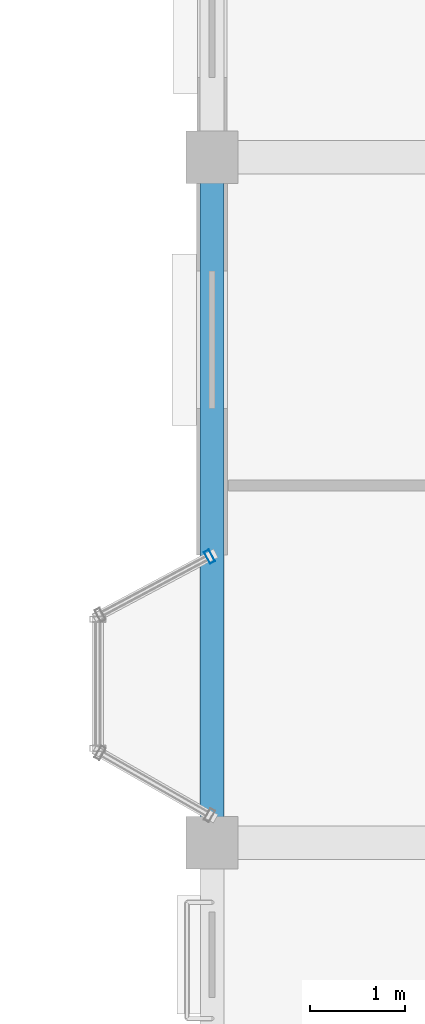
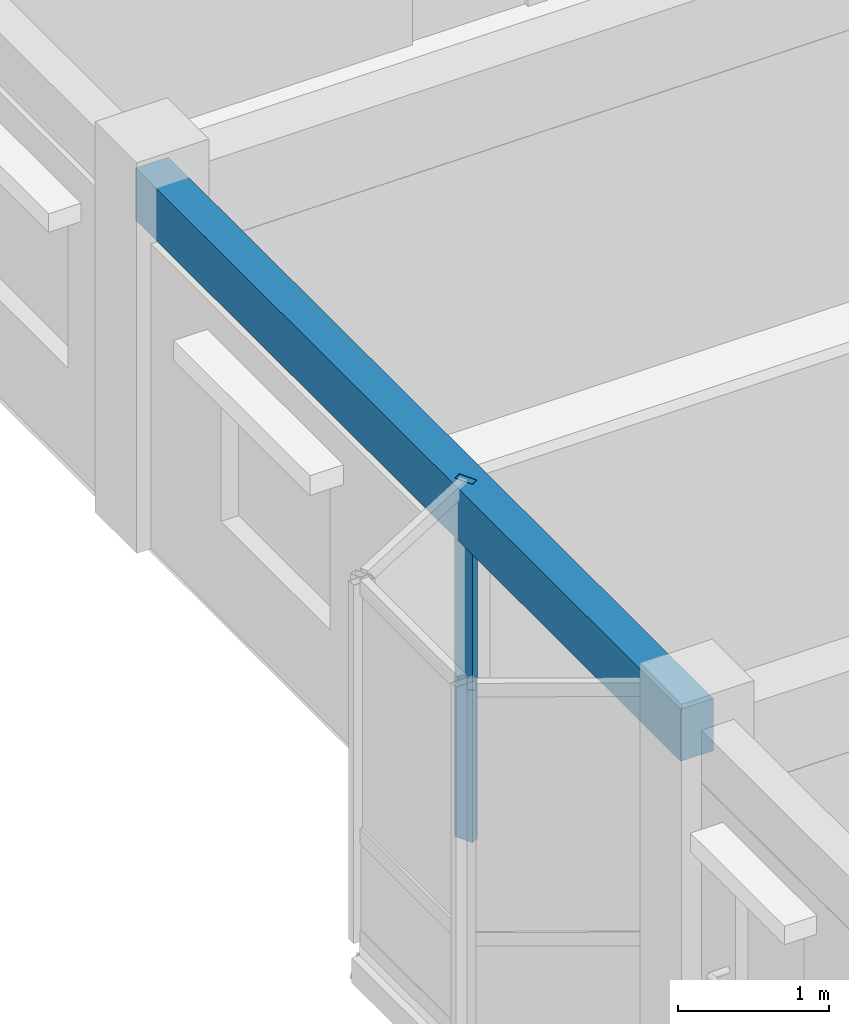
# One storey, part 28 of 79: 1 beam, 1 member, 1 element without a shape of its own.
"""IFC4 building model written with IfcOpenShell, lengths in metres."""

from ifc_helpers import new_model, si_unit, direction, frame, origin, origin_2d, place, context, subcontext, project, spatial, rectangle, hollow_rectangle, extrude, material, layer, layer_set, material_profile, profile_set, type_object, element, aggregate, save


model = new_model("IFC4")

# Units and contexts
model_context = context("Model", 3, precision=1e-05, world=origin(), true_north=direction((0.0, 1.0)))
body_context = subcontext(model_context, "Body", "Model", "MODEL_VIEW")
ifc_project = project(units=[si_unit("LENGTHUNIT", "METRE"), si_unit("AREAUNIT", "SQUARE_METRE"), si_unit("VOLUMEUNIT", "CUBIC_METRE"), si_unit("PLANEANGLEUNIT", "RADIAN"), si_unit("MASSUNIT", "GRAM", prefix="KILO"), si_unit("THERMODYNAMICTEMPERATUREUNIT", "KELVIN"), si_unit("POWERUNIT", "WATT")], contexts=[model_context])

# Site, building, storey
site_placement = place(None, origin())
site = spatial("IfcSite", under=ifc_project, at=site_placement, CompositionType="ELEMENT")
building_placement = place(site_placement, origin())
building = spatial("IfcBuilding", under=site, at=building_placement, Name="Tavuni Mirador Residences", CompositionType="ELEMENT")
storey_placement = place(building_placement, frame((0.0, 0.0, 13.949951171875)))
storey = spatial("IfcBuildingStorey", under=building, at=storey_placement, Name="L04", CompositionType="ELEMENT", Elevation=13.949951171875)

# Beam
ifc_material_1 = material(Name="Precast concrete C40/50", Category="concrete")
ifc_material_profile_1 = material_profile(ifc_material_1, rectangle(XDim=0.25, YDim=0.419921875, at=origin_2d()), Name="PC 250x420", Category="concrete")
ifc_profile_set_1 = profile_set([ifc_material_profile_1], Name="Precast concrete C40/50")
beam_type = type_object("IfcBeamType", Name="BT-SP420", PredefinedType="SPANDREL", material=ifc_profile_set_1)
beam_placement = place(storey_placement, frame((90.0, 108.0, 2.679931640625), z_axis=(0.0, 1.0, 0.0), x_axis=(-1.0, 0.0, 0.0)))
element("IfcBeam", 1, at=beam_placement, inside=storey, type_object=beam_type, Name="BMY-BLK-D-L04-00-03", PredefinedType="SPANDREL", context=body_context, shape_type="SweptSolid", body=[
    extrude(rectangle(XDim=0.25, YDim=0.419921875, at=origin_2d()), origin(), (0.0, 0.0, 1.0), 7.199951171875),
])

# Curtain wall, member
ifc_material_2 = material(Name="Anodised aluminium", Category="aluminium")
ifc_layer = layer(ifc_material_2, 0.1650390625, Name="Anodised aluminium", Category="aluminium")
ifc_layer_set = layer_set([ifc_layer], Name="Anodised aluminium")
curtain_wall_type = type_object("IfcCurtainWallType", Name="CWT-MIR-A", PredefinedType="NOTDEFINED", material=ifc_layer_set)
curtain_wall_placement = place(storey_placement, origin())
curtain_wall = element("IfcCurtainWall", 2, at=curtain_wall_placement, inside=storey, type_object=curtain_wall_type, Name="CW-MIR-D-W2-L04-M1", PredefinedType="NOTDEFINED")
ifc_material_profile_2 = material_profile(ifc_material_2, hollow_rectangle(XDim=0.06005859375, YDim=0.139892578125, WallThickness=0.00390625, at=origin_2d()), Name="ALU 60x140x4.0", Category="aluminium")
ifc_profile_set_2 = profile_set([ifc_material_profile_2], Name="Anodised aluminium")
member_type = type_object("IfcMemberType", Name="CWM-140", PredefinedType="MULLION", material=ifc_profile_set_2)
member_placement = place(storey_placement, frame((89.9736328125, 111.005859375, 0.0), z_axis=(0.0, 0.0, 1.0), x_axis=(-0.882352941175, -0.470588235296, 0.0)))
member = element("IfcMember", 3, at=member_placement, type_object=member_type, Name="CW-01 mullion 1", PredefinedType="MULLION", context=body_context, shape_type="SweptSolid", body=[
    extrude(hollow_rectangle(XDim=0.06005859375, YDim=0.139892578125, WallThickness=0.00390625, at=origin_2d()), origin(), (0.0, 0.0, 1.0), 2.89013671875),
])
aggregate(curtain_wall, [member])

save(model, "model.ifc")
